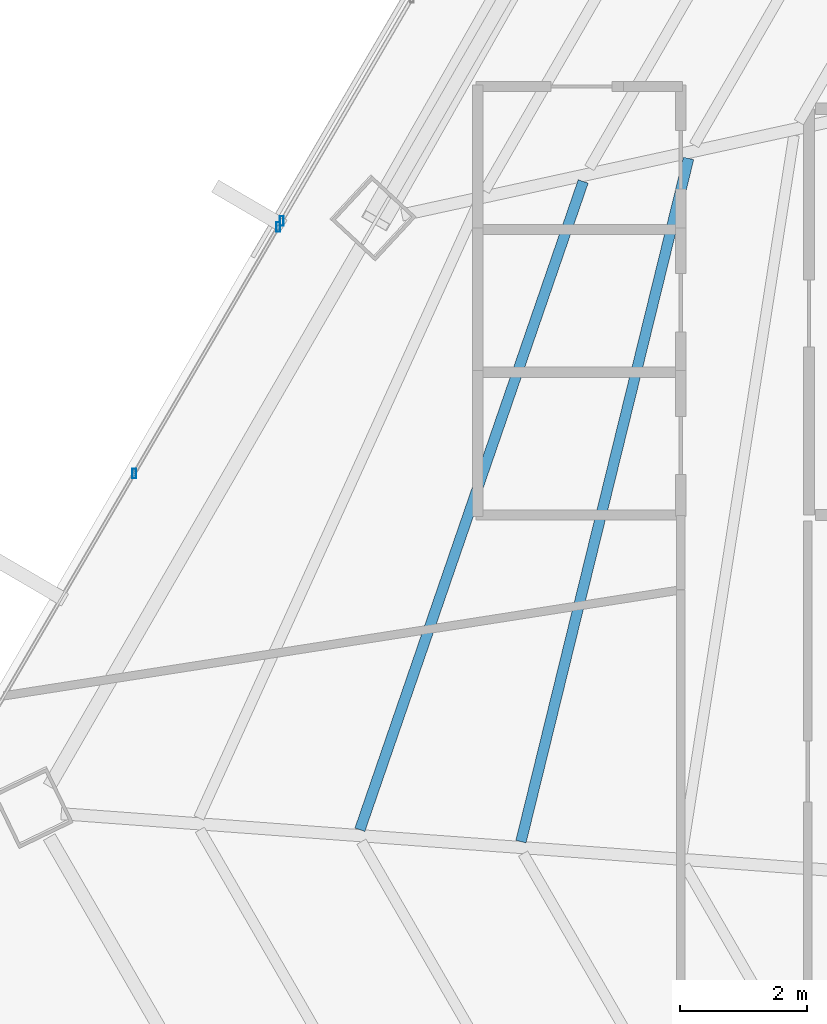
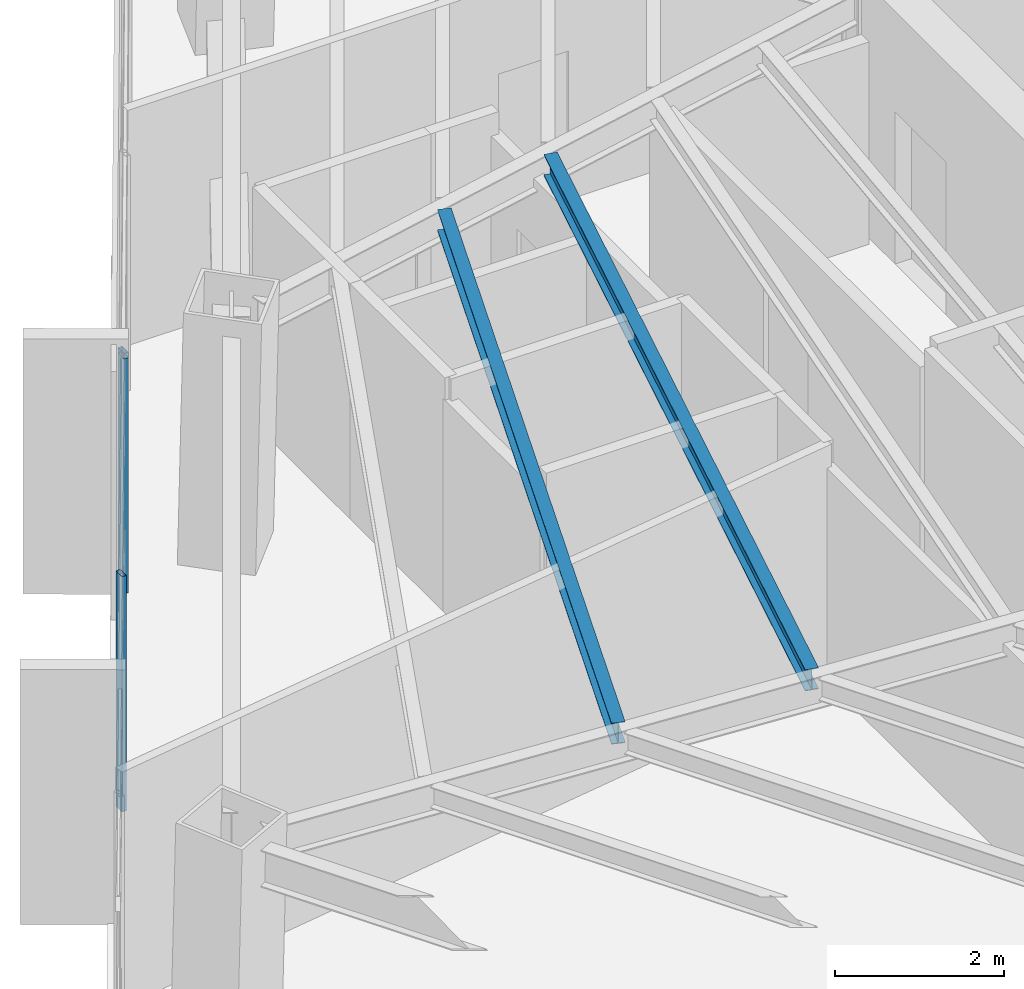
# One storey, part 12 of 41: 3 members, 2 beams, 2 elements without a shape of their own.
"""IFC4 building model written with IfcOpenShell, lengths in metres."""

from ifc_helpers import new_model, si_unit, direction, frame, origin, origin_2d, place, context, subcontext, project, spatial, hollow_rectangle, i_section, extrude, source, transform, mapped, material, material_profile, profile_set, type_object, type_shapes, element, aggregate, save


model = new_model("IFC4")

# Units and contexts
model_context = context("Model", 3, precision=1e-05, world=origin(), true_north=direction((0.0, 1.0)))
body_context = subcontext(model_context, "Body", "Model", "MODEL_VIEW")
ifc_project = project(units=[si_unit("LENGTHUNIT", "METRE"), si_unit("AREAUNIT", "SQUARE_METRE"), si_unit("VOLUMEUNIT", "CUBIC_METRE"), si_unit("PLANEANGLEUNIT", "RADIAN"), si_unit("MASSUNIT", "GRAM", prefix="KILO")], contexts=[model_context])

# Site, building, storey
site_placement = place(None, origin())
site = spatial("IfcSite", under=ifc_project, at=site_placement, CompositionType="ELEMENT")
building_placement = place(site_placement, origin())
building = spatial("IfcBuilding", under=site, at=building_placement, Name="Caelisora Broadcast Tower", CompositionType="ELEMENT")
storey_placement = place(building_placement, frame((0.0, 0.0, 135.449951171875)))
storey = spatial("IfcBuildingStorey", under=building, at=storey_placement, Name="L35", CompositionType="ELEMENT", Elevation=135.449951171875)

# Beams
ifc_material_1 = material(Name="Steel Grade 350 (AS/NZS 3679.1)", Category="steel")
ifc_material_profile_1 = material_profile(ifc_material_1, i_section(OverallWidth=0.166015625, OverallDepth=0.30712890625, WebThickness=0.006591796875, FlangeThickness=0.01171875, at=origin_2d()), Name="Steel Grade 350 (AS/NZS 3679.1)")
ifc_profile_set_1 = profile_set([ifc_material_profile_1], Name="Steel Grade 350 (AS/NZS 3679.1)")
beam_type = type_object("IfcBeamType", Name="SB03", PredefinedType="JOIST", material=ifc_profile_set_1)
shared_shape_1 = source(origin(), body_context, "Body", "SweptSolid", [
    extrude(i_section(OverallWidth=0.166015625, OverallDepth=0.30712890625, WebThickness=0.006591796875, FlangeThickness=0.01171875, at=origin_2d()), origin(), (0.0, 0.0, 1.0), 11.08544921875),
])
beam_1_placement = place(storey_placement, frame((25.523193359375, 28.81884765625, 3.246337890625), z_axis=(-0.238315203788, -0.971187862179, 0.0), x_axis=(0.971187862179, -0.238315203788, 0.0)))
element("IfcBeam", 1, at=beam_1_placement, inside=storey, type_object=beam_type, Name="L35 beam SB03", PredefinedType="JOIST", context=body_context, shape_type="MappedRepresentation", body=[
    mapped(shared_shape_1, transform((0.0, 0.0, 0.0), scale=1.0)),
])
shared_shape_2 = source(origin(), body_context, "Body", "SweptSolid", [
    extrude(i_section(OverallWidth=0.166015625, OverallDepth=0.30712890625, WebThickness=0.006591796875, FlangeThickness=0.01171875, at=origin_2d()), origin(), (0.0, 0.0, 1.0), 10.805419921875),
])
type_shapes(beam_type, [shared_shape_1, shared_shape_2])
beam_2_placement = place(storey_placement, frame((23.86181640625, 28.455810546875, 3.246337890625), z_axis=(-0.325654338591, -0.945488895628, 0.0), x_axis=(0.945488895628, -0.325654338591, 0.0)))
element("IfcBeam", 2, at=beam_2_placement, inside=storey, type_object=beam_type, Name="L35 beam SB03", PredefinedType="JOIST", context=body_context, shape_type="MappedRepresentation", body=[
    mapped(shared_shape_2, transform((0.0, 0.0, 0.0), scale=1.0)),
])

# Curtain wall, members
ifc_material_2 = material(Name="Unitised Aluminium and Low-E Glass Curtain Wall", Category="glass")
curtain_wall_type_1 = type_object("IfcCurtainWallType", Name="CW-Z3", PredefinedType="NOTDEFINED", material=ifc_material_2)
curtain_wall_1_placement = place(storey_placement, origin())
curtain_wall_1 = element("IfcCurtainWall", 3, at=curtain_wall_1_placement, inside=storey, type_object=curtain_wall_type_1, Name="L35 curtain wall CW-Z3", PredefinedType="NOTDEFINED")
ifc_material_3 = material(Name="Aluminium 6063-T6 Anodised Terracotta Bronze", Category="aluminium")
ifc_material_profile_2 = material_profile(ifc_material_3, hollow_rectangle(XDim=0.06005859375, YDim=0.14990234375, WallThickness=0.00341796875, at=origin_2d()), Name="Aluminium 6063-T6 Anodised Terracotta Bronze")
ifc_profile_set_2 = profile_set([ifc_material_profile_2], Name="Aluminium 6063-T6 Anodised Terracotta Bronze")
member_type = type_object("IfcMemberType", Name="CWM-03", PredefinedType="MULLION", material=ifc_profile_set_2)
shared_shape_3 = source(origin(), body_context, "Body", "SweptSolid", [
    extrude(hollow_rectangle(XDim=0.06005859375, YDim=0.14990234375, WallThickness=0.00341796875, at=origin_2d()), origin(), (0.0, 0.0, 1.0), 3.400146484375),
])
type_shapes(member_type, [shared_shape_3])
member_1_placement = place(storey_placement, frame((16.78662109375, 23.853759765625, 0.0), z_axis=(0.0, 0.0, 1.0), x_axis=(1.0, 0.0, 0.0)))
member_1 = element("IfcMember", 4, at=member_1_placement, type_object=member_type, Name="L35-CW-B09 mullion #2", PredefinedType="MULLION", context=body_context, shape_type="MappedRepresentation", body=[
    mapped(shared_shape_3, transform((0.0, 0.0, 0.0), scale=1.0)),
])
member_2_placement = place(storey_placement, frame((19.05615234375, 27.7373046875, 0.0), z_axis=(0.0, 0.0, 1.0), x_axis=(1.0, 0.0, 0.0)))
member_2 = element("IfcMember", 5, at=member_2_placement, type_object=member_type, Name="L35-CW-B09 mullion #3", PredefinedType="MULLION", context=body_context, shape_type="MappedRepresentation", body=[
    mapped(shared_shape_3, transform((0.0, 0.0, 0.0), scale=1.0)),
])
aggregate(curtain_wall_1, [member_1, member_2])

# Curtain wall, member
ifc_material_4 = material(Name="Unitised Aluminium Insulated Shadow-Box Spandrel Curtain Wall", Category="aluminium")
curtain_wall_type_2 = type_object("IfcCurtainWallType", Name="CW-SP2", PredefinedType="NOTDEFINED", material=ifc_material_4)
curtain_wall_2_placement = place(storey_placement, origin())
curtain_wall_2 = element("IfcCurtainWall", 6, at=curtain_wall_2_placement, inside=storey, type_object=curtain_wall_type_2, Name="L35 curtain wall CW-SP2", PredefinedType="NOTDEFINED")
member_3_placement = place(storey_placement, frame((19.11181640625, 27.832275390625, 0.0), z_axis=(0.0, 0.0, 1.0), x_axis=(1.0, 0.0, 0.0)))
member_3 = element("IfcMember", 7, at=member_3_placement, type_object=member_type, Name="L35-CW-B10 mullion #0", PredefinedType="MULLION", context=body_context, shape_type="MappedRepresentation", body=[
    mapped(shared_shape_3, transform((0.0, 0.0, 0.0), scale=1.0)),
])
aggregate(curtain_wall_2, [member_3])

save(model, "model.ifc")
